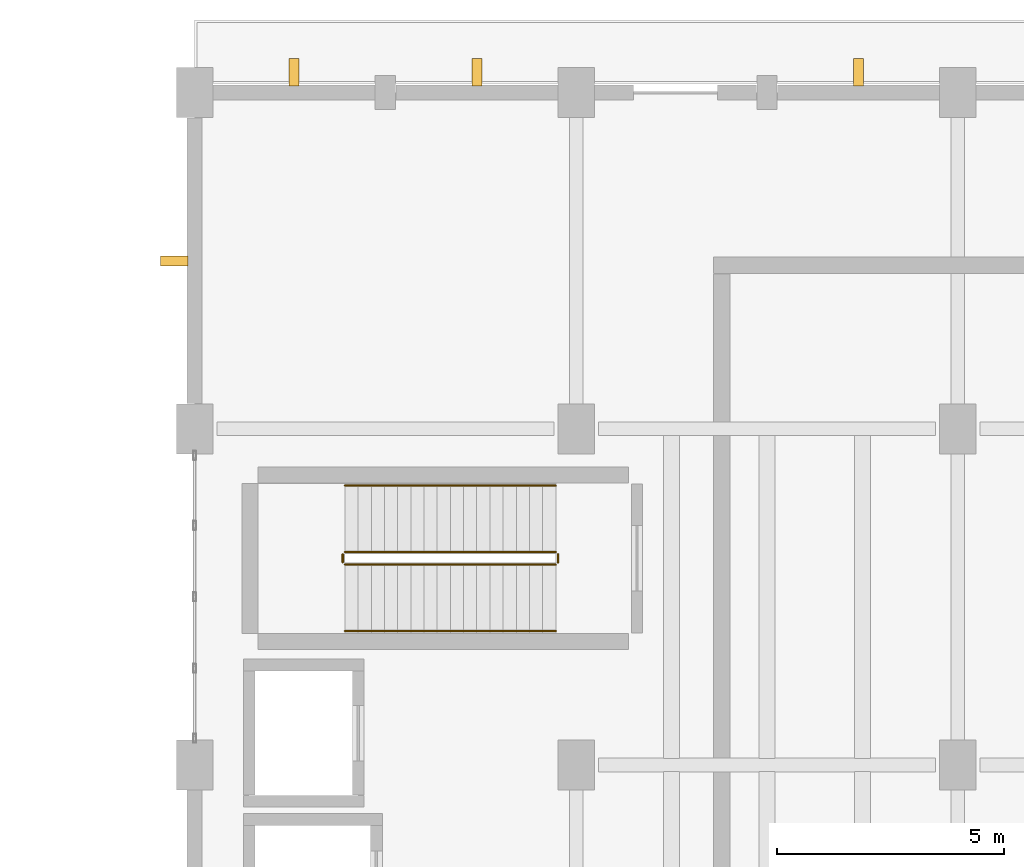
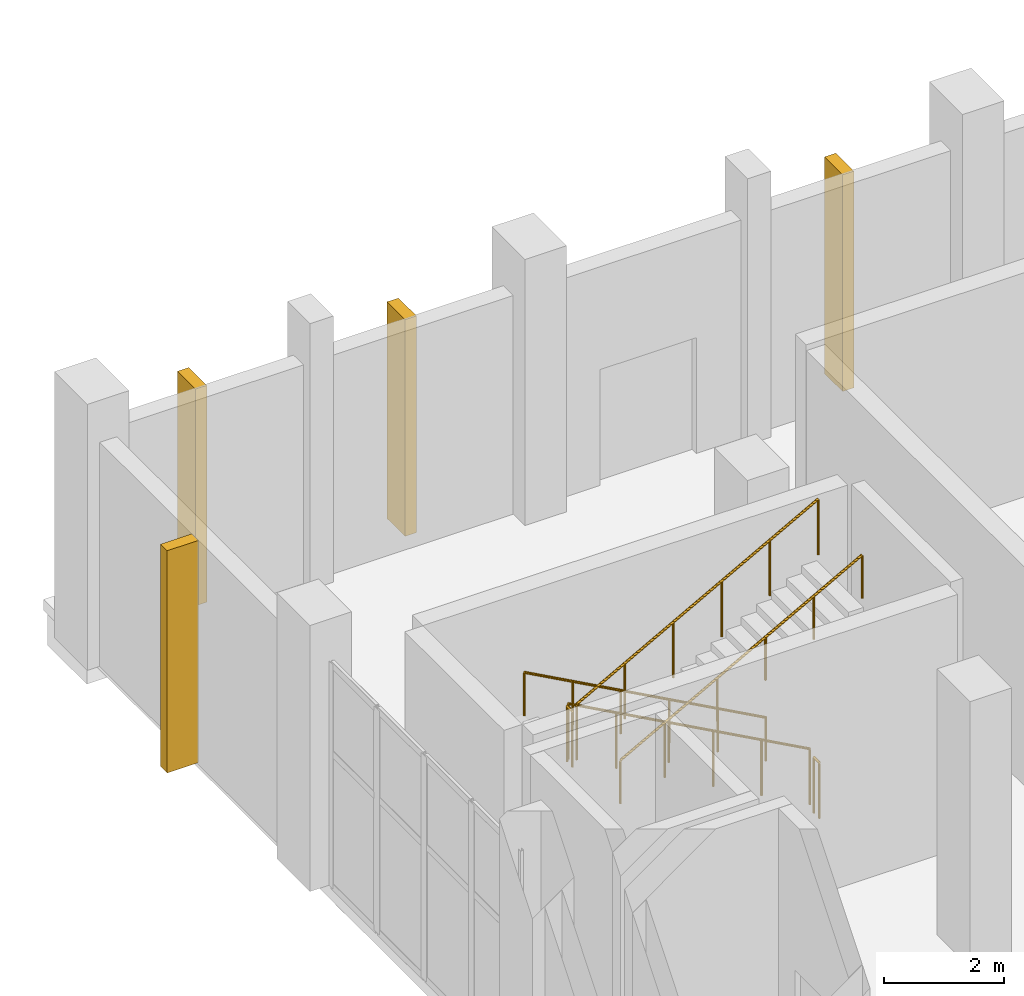
# One storey, part 87 of 95: 6 railings, 4 shading devices.
"""IFC4 building model written with IfcOpenShell, lengths in metres."""

from ifc_helpers import new_model, si_unit, direction, frame, origin, origin_2d, place, context, subcontext, project, spatial, rectangle, circle, extrude, material, layer, layer_set, type_object, element, save


model = new_model("IFC4")

# Units and contexts
model_context = context("Model", 3, precision=1e-05, world=origin(), true_north=direction((0.0, 1.0)))
body_context = subcontext(model_context, "Body", "Model", "MODEL_VIEW")
ifc_project = project(units=[si_unit("LENGTHUNIT", "METRE"), si_unit("AREAUNIT", "SQUARE_METRE"), si_unit("VOLUMEUNIT", "CUBIC_METRE"), si_unit("PLANEANGLEUNIT", "RADIAN"), si_unit("MASSUNIT", "GRAM", prefix="KILO")], contexts=[model_context])

# Site, building, storey
site_placement = place(None, origin())
site = spatial("IfcSite", under=ifc_project, at=site_placement, CompositionType="ELEMENT")
building_placement = place(site_placement, origin())
building = spatial("IfcBuilding", under=site, at=building_placement, Name="Shengluoqiao Park Theatre", CompositionType="ELEMENT")
storey_placement = place(building_placement, origin())
storey = spatial("IfcBuildingStorey", under=building, at=storey_placement, Name="L00", CompositionType="ELEMENT", Elevation=0.0)

# Shading devices
ifc_material_1 = material(Name="Concrete C45", Category="concrete")
ifc_layer = layer(ifc_material_1, 0.219970703125, Name="Concrete C45")
ifc_layer_set = layer_set([ifc_layer], Name="Concrete C45")
shading_device_type = type_object("IfcShadingDeviceType", Name="ENV-FIN-600x220", PredefinedType="USERDEFINED", material=ifc_layer_set)
for number, where, z_axis, x_axis, name in (
    (1, (46.58740234375, 114.449951171875, 0.02001953125), (0.0, 0.0, 1.0), (0.0, 1.0, 0.0), "L00 Vertical Concrete Acoustic Rib 0001"),
    (2, (50.612548828125, 114.449951171875, 0.02001953125), (0.0, 0.0, 1.0), (0.0, 1.0, 0.0), "L00 Vertical Concrete Acoustic Rib 0002"),
    (3, (59.012451171875, 114.449951171875, 0.02001953125), (0.0, 0.0, 1.0), (0.0, 1.0, 0.0), "L00 Vertical Concrete Acoustic Rib 0003"),
):
    element("IfcShadingDevice", number, at=place(storey_placement, frame(where, z_axis=z_axis, x_axis=x_axis)), inside=storey, type_object=shading_device_type, Name=name, ObjectType="FIN", PredefinedType="USERDEFINED", context=body_context, shape_type="SweptSolid", body=[
        extrude(rectangle(XDim=0.60009765625, YDim=0.219970703125, at=origin_2d()), origin(), (0.0, 0.0, 1.0), 4.39794921875),
    ])
shading_device_placement = place(storey_placement, frame((43.949951171875, 110.300048828125, 0.02001953125), z_axis=(0.0, 0.0, 1.0), x_axis=(-1.0, 0.0, 0.0)))
element("IfcShadingDevice", 4, at=shading_device_placement, inside=storey, type_object=shading_device_type, Name="L00 Vertical Concrete Acoustic Rib 0014", ObjectType="FIN", PredefinedType="USERDEFINED", context=body_context, shape_type="SweptSolid", body=[
    extrude(rectangle(XDim=0.60009765625, YDim=0.219970703125, at=origin_2d()), origin(), (0.0, 0.0, 1.0), 4.510009765625),
])

# Railings
ifc_material_2 = material(Name="Painted steel", Category="steel")
railing_type_1 = type_object("IfcRailingType", Name="INT-RL-STGRD", PredefinedType="GUARDRAIL", material=ifc_material_2)
railing_1_placement = place(storey_placement, frame((52.35009765625, 103.889892578125, 0.158935546875)))
element("IfcRailing", 5, at=railing_1_placement, inside=storey, type_object=railing_type_1, Name="L00 ST-03 stair guard 1", PredefinedType="GUARDRAIL", context=body_context, shape_type="SweptSolid", body=[
    extrude(circle(Radius=0.02392578125, at=origin_2d()), frame((0.0, 0.0, 1.1259765625), z_axis=(-0.877097193626, 0.0, 0.480312932298), x_axis=(0.0, -1.0, 0.0)), (0.0, 0.0, 1.0), 5.290283203125),
    extrude(circle(Radius=0.02099609375, at=origin_2d()), origin(), (0.0, 0.0, 1.0), 1.101806640625),
    extrude(circle(Radius=0.02099609375, at=origin_2d()), frame((-0.927978515625, 0.0, 0.50830078125)), (0.0, 0.0, 1.0), 1.101806640625),
    extrude(circle(Radius=0.02099609375, at=origin_2d()), frame((-1.85595703125, 0.0, 1.016357421875)), (0.0, 0.0, 1.0), 1.101806640625),
    extrude(circle(Radius=0.02099609375, at=origin_2d()), frame((-2.7841796875, 0.0, 1.524658203125)), (0.0, 0.0, 1.0), 1.101806640625),
    extrude(circle(Radius=0.02099609375, at=origin_2d()), frame((-3.712158203125, 0.0, 2.03271484375)), (0.0, 0.0, 1.0), 1.101806640625),
    extrude(circle(Radius=0.02099609375, at=origin_2d()), frame((-4.64013671875, 0.0, 2.541015625)), (0.0, 0.0, 1.0), 1.101806640625),
])
railing_2_placement = place(storey_placement, frame((47.659912109375, 103.840087890625, 2.699951171875)))
element("IfcRailing", 6, at=railing_2_placement, inside=storey, type_object=railing_type_1, Name="L00 ST-03 stair guard 2", PredefinedType="GUARDRAIL", context=body_context, shape_type="SweptSolid", body=[
    extrude(circle(Radius=0.02392578125, at=origin_2d()), frame((0.0, 0.0, 1.1259765625), z_axis=(0.0, -1.0, 0.0), x_axis=(1.0, 0.0, 0.0)), (0.0, 0.0, 1.0), 0.18017578125),
    extrude(circle(Radius=0.02099609375, at=origin_2d()), origin(), (0.0, 0.0, 1.0), 1.101806640625),
    extrude(circle(Radius=0.02099609375, at=origin_2d()), frame((0.0, -0.18017578125, 0.0)), (0.0, 0.0, 1.0), 1.101806640625),
])
railing_3_placement = place(storey_placement, frame((47.7099609375, 103.610107421875, 2.85888671875)))
element("IfcRailing", 7, at=railing_3_placement, inside=storey, type_object=railing_type_1, Name="L00 ST-03 stair guard 3", PredefinedType="GUARDRAIL", context=body_context, shape_type="SweptSolid", body=[
    extrude(circle(Radius=0.02392578125, at=origin_2d()), frame((0.0, 0.0, 1.1259765625), z_axis=(0.877097193626, 0.0, 0.480312932298), x_axis=(0.0, 1.0, 0.0)), (0.0, 0.0, 1.0), 5.290283203125),
    extrude(circle(Radius=0.02099609375, at=origin_2d()), origin(), (0.0, 0.0, 1.0), 1.101806640625),
    extrude(circle(Radius=0.02099609375, at=origin_2d()), frame((0.927978515625, 0.0, 0.50830078125)), (0.0, 0.0, 1.0), 1.101806640625),
    extrude(circle(Radius=0.02099609375, at=origin_2d()), frame((1.85595703125, 0.0, 1.016357421875)), (0.0, 0.0, 1.0), 1.101806640625),
    extrude(circle(Radius=0.02099609375, at=origin_2d()), frame((2.7841796875, 0.0, 1.524658203125)), (0.0, 0.0, 1.0), 1.101806640625),
    extrude(circle(Radius=0.02099609375, at=origin_2d()), frame((3.712158203125, 0.0, 2.03271484375)), (0.0, 0.0, 1.0), 1.101806640625),
    extrude(circle(Radius=0.02099609375, at=origin_2d()), frame((4.64013671875, 0.0, 2.541015625)), (0.0, 0.0, 1.0), 1.101806640625),
])
railing_4_placement = place(storey_placement, frame((52.39990234375, 103.840087890625, 0.0)))
element("IfcRailing", 8, at=railing_4_placement, inside=storey, type_object=railing_type_1, Name="L00 ST-03 stair guard 4", PredefinedType="GUARDRAIL", context=body_context, shape_type="SweptSolid", body=[
    extrude(circle(Radius=0.02392578125, at=origin_2d()), frame((0.0, 0.0, 1.1259765625), z_axis=(0.0, -1.0, 0.0), x_axis=(1.0, 0.0, 0.0)), (0.0, 0.0, 1.0), 0.18017578125),
    extrude(circle(Radius=0.02099609375, at=origin_2d()), origin(), (0.0, 0.0, 1.0), 1.101806640625),
    extrude(circle(Radius=0.02099609375, at=origin_2d()), frame((0.0, -0.18017578125, 0.0)), (0.0, 0.0, 1.0), 1.101806640625),
])
ifc_material_3 = material(Name="Stainless steel 304", Category="steel")
railing_type_2 = type_object("IfcRailingType", Name="INT-RL-STHR", PredefinedType="HANDRAIL", material=ifc_material_3)
railing_5_placement = place(storey_placement, frame((52.35009765625, 105.35009765625, 0.158935546875)))
element("IfcRailing", 9, at=railing_5_placement, inside=storey, type_object=railing_type_2, Name="L00 ST-03 stair handrail 1", PredefinedType="HANDRAIL", context=body_context, shape_type="SweptSolid", body=[
    extrude(circle(Radius=0.02392578125, at=origin_2d()), frame((0.0, 0.0, 0.8759765625), z_axis=(-0.877097193626, 0.0, 0.480312932298), x_axis=(0.0, -1.0, 0.0)), (0.0, 0.0, 1.0), 5.290283203125),
    extrude(circle(Radius=0.02099609375, at=origin_2d()), origin(), (0.0, 0.0, 1.0), 0.851806640625),
    extrude(circle(Radius=0.02099609375, at=origin_2d()), frame((-0.927978515625, 0.0, 0.50830078125)), (0.0, 0.0, 1.0), 0.851806640625),
    extrude(circle(Radius=0.02099609375, at=origin_2d()), frame((-1.85595703125, 0.0, 1.016357421875)), (0.0, 0.0, 1.0), 0.851806640625),
    extrude(circle(Radius=0.02099609375, at=origin_2d()), frame((-2.7841796875, 0.0, 1.524658203125)), (0.0, 0.0, 1.0), 0.851806640625),
    extrude(circle(Radius=0.02099609375, at=origin_2d()), frame((-3.712158203125, 0.0, 2.03271484375)), (0.0, 0.0, 1.0), 0.851806640625),
    extrude(circle(Radius=0.02099609375, at=origin_2d()), frame((-4.64013671875, 0.0, 2.541015625)), (0.0, 0.0, 1.0), 0.851806640625),
])
railing_6_placement = place(storey_placement, frame((47.7099609375, 102.14990234375, 2.85888671875)))
element("IfcRailing", 10, at=railing_6_placement, inside=storey, type_object=railing_type_2, Name="L00 ST-03 stair handrail 2", PredefinedType="HANDRAIL", context=body_context, shape_type="SweptSolid", body=[
    extrude(circle(Radius=0.02392578125, at=origin_2d()), frame((0.0, 0.0, 0.8759765625), z_axis=(0.877097193626, 0.0, 0.480312932298), x_axis=(0.0, 1.0, 0.0)), (0.0, 0.0, 1.0), 5.290283203125),
    extrude(circle(Radius=0.02099609375, at=origin_2d()), origin(), (0.0, 0.0, 1.0), 0.851806640625),
    extrude(circle(Radius=0.02099609375, at=origin_2d()), frame((0.927978515625, 0.0, 0.50830078125)), (0.0, 0.0, 1.0), 0.851806640625),
    extrude(circle(Radius=0.02099609375, at=origin_2d()), frame((1.85595703125, 0.0, 1.016357421875)), (0.0, 0.0, 1.0), 0.851806640625),
    extrude(circle(Radius=0.02099609375, at=origin_2d()), frame((2.7841796875, 0.0, 1.524658203125)), (0.0, 0.0, 1.0), 0.851806640625),
    extrude(circle(Radius=0.02099609375, at=origin_2d()), frame((3.712158203125, 0.0, 2.03271484375)), (0.0, 0.0, 1.0), 0.851806640625),
    extrude(circle(Radius=0.02099609375, at=origin_2d()), frame((4.64013671875, 0.0, 2.541015625)), (0.0, 0.0, 1.0), 0.851806640625),
])

save(model, "model.ifc")
